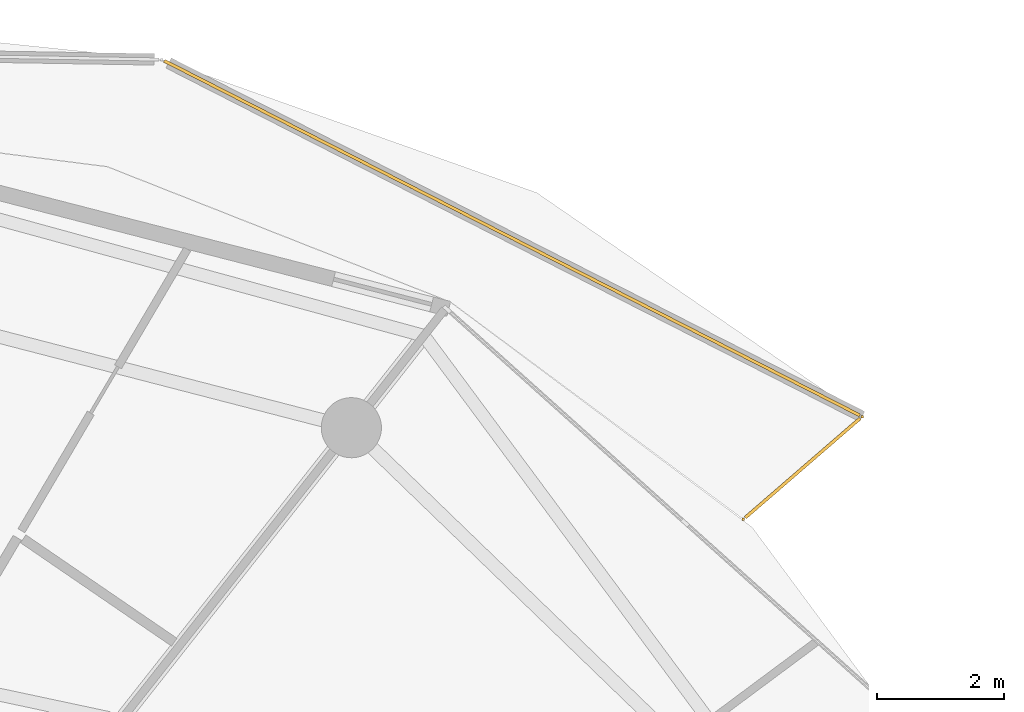
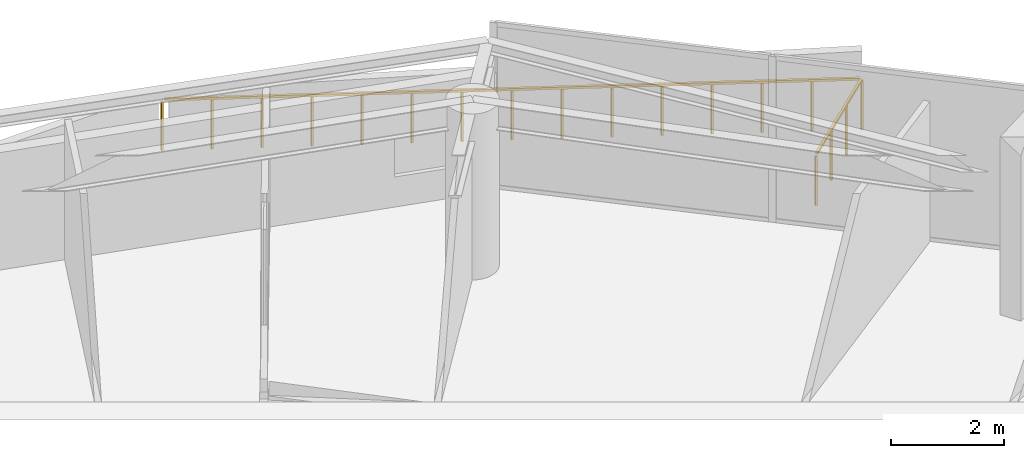
# One storey, part 30 of 30: 2 railings.
"""IFC4 building model written with IfcOpenShell, lengths in metres."""

from ifc_helpers import new_model, si_unit, direction, frame, origin, origin_2d, place, context, subcontext, project, spatial, rectangle, extrude, material, type_object, element, save


model = new_model("IFC4")

# Units and contexts
model_context = context("Model", 3, precision=1e-05, world=origin(), true_north=direction((0.0, 1.0)))
body_context = subcontext(model_context, "Body", "Model", "MODEL_VIEW")
ifc_project = project(units=[si_unit("LENGTHUNIT", "METRE"), si_unit("AREAUNIT", "SQUARE_METRE"), si_unit("VOLUMEUNIT", "CUBIC_METRE"), si_unit("PLANEANGLEUNIT", "RADIAN"), si_unit("MASSUNIT", "GRAM", prefix="KILO")], contexts=[model_context])

# Site, building, storey
site_placement = place(None, origin())
site = spatial("IfcSite", under=ifc_project, at=site_placement, CompositionType="ELEMENT")
building_placement = place(site_placement, origin())
building = spatial("IfcBuilding", under=site, at=building_placement, Name="Kazma Halo Residences", CompositionType="ELEMENT")
storey_placement = place(building_placement, frame((0.0, 0.0, 298.300048828125)))
storey = spatial("IfcBuildingStorey", under=building, at=storey_placement, Name="L75", CompositionType="ELEMENT", Elevation=298.300048828125)

# Railings
ifc_material = material(Name="Aluminium AW-6063 T6 Brushed Cap Rail", Category="aluminium")
railing_type = type_object("IfcRailingType", Name="RLG-BAL-CAP-1120", PredefinedType="BALUSTRADE", material=ifc_material)
railing_1_placement = place(storey_placement, frame((71.0400390625, 61.9228515625, 0.0)))
element("IfcRailing", 1, at=railing_1_placement, inside=storey, type_object=railing_type, Name="L75 NE wave balcony guard 1", PredefinedType="BALUSTRADE", context=body_context, shape_type="SweptSolid", body=[
    extrude(rectangle(XDim=0.050048828125, YDim=0.050048828125, at=origin_2d()), frame((0.0322265625, 0.02783203125, 1.09521484375), z_axis=(0.756451298214, 0.654050023645, 0.0), x_axis=(-0.654050023645, 0.756451298214, 0.0)), (0.0, 0.0, 1.0), 2.396728515625),
    extrude(rectangle(XDim=0.0400390625, YDim=0.0400390625, at=origin_2d()), origin(), (0.0, 0.0, 1.0), 1.05810546875),
    extrude(rectangle(XDim=0.0400390625, YDim=0.0400390625, at=origin_2d()), frame((0.625732421875, 0.541015625, 0.0)), (0.0, 0.0, 1.0), 1.05810546875),
    extrude(rectangle(XDim=0.0400390625, YDim=0.0400390625, at=origin_2d()), frame((1.251708984375, 1.082275390625, 0.0)), (0.0, 0.0, 1.0), 1.05810546875),
    extrude(rectangle(XDim=0.0400390625, YDim=0.0400390625, at=origin_2d()), frame((1.87744140625, 1.623291015625, 0.0)), (0.0, 0.0, 1.0), 1.05810546875),
])
railing_2_placement = place(storey_placement, frame((72.91748046875, 63.546142578125, 0.0)))
element("IfcRailing", 2, at=railing_2_placement, inside=storey, type_object=railing_type, Name="L75 NE wave balcony guard 2", PredefinedType="BALUSTRADE", context=body_context, shape_type="SweptSolid", body=[
    extrude(rectangle(XDim=0.050048828125, YDim=0.050048828125, at=origin_2d()), frame((-0.037841796875, 0.019287109375, 1.09521484375), z_axis=(-0.890888834387, 0.454221405004, 0.0), x_axis=(-0.454221405004, -0.890888834387, 0.0)), (0.0, 0.0, 1.0), 12.334716796875),
    extrude(rectangle(XDim=0.0400390625, YDim=0.0400390625, at=origin_2d()), origin(), (0.0, 0.0, 1.0), 1.05810546875),
    extrude(rectangle(XDim=0.0400390625, YDim=0.0400390625, at=origin_2d()), frame((-0.790283203125, 0.40283203125, 0.0)), (0.0, 0.0, 1.0), 1.05810546875),
    extrude(rectangle(XDim=0.0400390625, YDim=0.0400390625, at=origin_2d()), frame((-1.58056640625, 0.805908203125, 0.0)), (0.0, 0.0, 1.0), 1.05810546875),
    extrude(rectangle(XDim=0.0400390625, YDim=0.0400390625, at=origin_2d()), frame((-2.37109375, 1.208984375, 0.0)), (0.0, 0.0, 1.0), 1.05810546875),
    extrude(rectangle(XDim=0.0400390625, YDim=0.0400390625, at=origin_2d()), frame((-3.161376953125, 1.61181640625, 0.0)), (0.0, 0.0, 1.0), 1.05810546875),
    extrude(rectangle(XDim=0.0400390625, YDim=0.0400390625, at=origin_2d()), frame((-3.95166015625, 2.0146484375, 0.0)), (0.0, 0.0, 1.0), 1.05810546875),
    extrude(rectangle(XDim=0.0400390625, YDim=0.0400390625, at=origin_2d()), frame((-4.741943359375, 2.417724609375, 0.0)), (0.0, 0.0, 1.0), 1.05810546875),
    extrude(rectangle(XDim=0.0400390625, YDim=0.0400390625, at=origin_2d()), frame((-5.5322265625, 2.82080078125, 0.0)), (0.0, 0.0, 1.0), 1.05810546875),
    extrude(rectangle(XDim=0.0400390625, YDim=0.0400390625, at=origin_2d()), frame((-6.32275390625, 3.2236328125, 0.0)), (0.0, 0.0, 1.0), 1.05810546875),
    extrude(rectangle(XDim=0.0400390625, YDim=0.0400390625, at=origin_2d()), frame((-7.113037109375, 3.626708984375, 0.0)), (0.0, 0.0, 1.0), 1.05810546875),
    extrude(rectangle(XDim=0.0400390625, YDim=0.0400390625, at=origin_2d()), frame((-7.9033203125, 4.029541015625, 0.0)), (0.0, 0.0, 1.0), 1.05810546875),
    extrude(rectangle(XDim=0.0400390625, YDim=0.0400390625, at=origin_2d()), frame((-8.693603515625, 4.4326171875, 0.0)), (0.0, 0.0, 1.0), 1.05810546875),
    extrude(rectangle(XDim=0.0400390625, YDim=0.0400390625, at=origin_2d()), frame((-9.484130859375, 4.83544921875, 0.0)), (0.0, 0.0, 1.0), 1.05810546875),
    extrude(rectangle(XDim=0.0400390625, YDim=0.0400390625, at=origin_2d()), frame((-10.2744140625, 5.23828125, 0.0)), (0.0, 0.0, 1.0), 1.05810546875),
    extrude(rectangle(XDim=0.0400390625, YDim=0.0400390625, at=origin_2d()), frame((-11.064697265625, 5.641357421875, 0.0)), (0.0, 0.0, 1.0), 1.05810546875),
])

save(model, "model.ifc")
